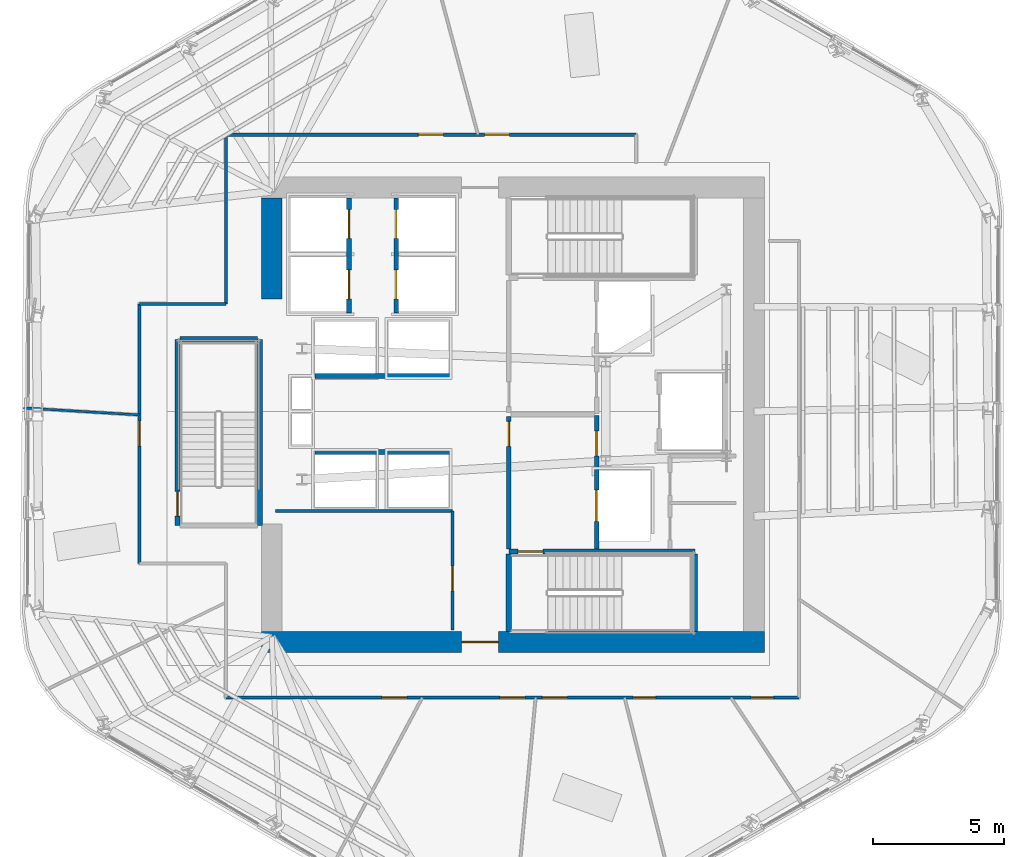
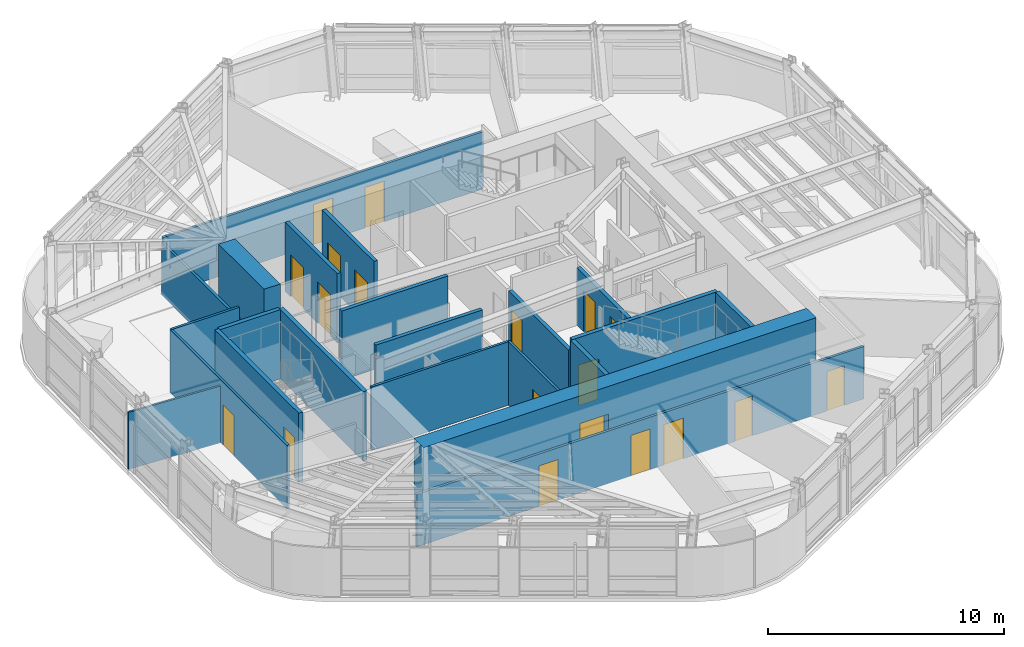
# One storey, part 8 of 16: 22 walls, 19 doors, 19 openings.
"""IFC4 building model written with IfcOpenShell, lengths in metres."""

from ifc_helpers import new_model, si_unit, direction, frame, frame_2d, origin, place, context, subcontext, project, spatial, rectangle, extrude, material, layer, layer_set, type_object, element, fill, save


model = new_model("IFC4")

# Units and contexts
model_context = context("Model", 3, precision=1e-05, world=origin(), true_north=direction((0.0, 1.0)))
body_context = subcontext(model_context, "Body", "Model", "MODEL_VIEW")
ifc_project = project(units=[si_unit("LENGTHUNIT", "METRE"), si_unit("AREAUNIT", "SQUARE_METRE"), si_unit("VOLUMEUNIT", "CUBIC_METRE"), si_unit("PLANEANGLEUNIT", "RADIAN"), si_unit("MASSUNIT", "GRAM", prefix="KILO")], contexts=[model_context])

# Site, building, storey
site_placement = place(None, origin())
site = spatial("IfcSite", under=ifc_project, at=site_placement, CompositionType="ELEMENT")
building_placement = place(site_placement, origin())
building = spatial("IfcBuilding", under=site, at=building_placement, Name="Valkerne Bourse Tower", CompositionType="ELEMENT")
storey_placement = place(building_placement, frame((0.0, 0.0, 151.39990234375)))
storey = spatial("IfcBuildingStorey", under=building, at=storey_placement, Name="L38", CompositionType="ELEMENT", Elevation=151.39990234375)

# Wall, opening, door
ifc_material_1 = material(Name="Concrete C55/67", Category="concrete")
ifc_layer_1 = layer(ifc_material_1, 0.800048828125)
ifc_layer_set_1 = layer_set([ifc_layer_1], Name="Concrete C55/67")
wall_type_1 = type_object("IfcWallType", Name="W-CORE-800", PredefinedType="SHEAR", material=ifc_layer_set_1)
wall_1_placement = place(storey_placement, frame((37.199951171875, 18.199951171875, 0.0), z_axis=(0.0, 0.0, 1.0), x_axis=(1.0, 0.0, 0.0)))
wall_1 = element("IfcWall", 1, at=wall_1_placement, inside=storey, type_object=wall_type_1, Name="L38 Core Shear Wall SOUTH", PredefinedType="SHEAR", context=body_context, shape_type="SweptSolid", body=[
    extrude(rectangle(XDim=19.199951171875, YDim=0.800048828125, at=frame_2d((9.60009765625, 0.0))), origin(), (0.0, 0.0, 1.0), 3.580078125),
])
opening_1_placement = place(wall_1_placement, frame((7.64990234375, 0.0, 0.0)))
opening_1 = element("IfcOpeningElement", 2, at=opening_1_placement, cuts=wall_1, Name="Opening D-PL-1400", PredefinedType="OPENING", context=body_context, shape_type="SweptSolid", body=[
    extrude(rectangle(XDim=1.39990234375, YDim=2.14990234375, at=frame_2d((0.699951171875, 1.074951171875))), frame((0.0, 0.409912109375, 0.0), z_axis=(0.0, -1.0, 0.0), x_axis=(1.0, 0.0, 0.0)), (0.0, 0.0, 1.0), 0.820068359375),
])
ifc_material_2 = material(Name="Galvanised Painted Steel", Category="steel")
door_type_1 = type_object("IfcDoorType", Name="DR-PLT-1400", OperationType="DOUBLE_DOOR_SINGLE_SWING", PredefinedType="DOOR", material=ifc_material_2)
door_1_placement = place(opening_1_placement, origin())
door_1 = element("IfcDoor", 3, at=door_1_placement, inside=storey, type_object=door_type_1, Name="L38 South Passenger Lift Hall Fire Door", OperationType="DOUBLE_DOOR_SINGLE_SWING", OverallHeight=2.14990234375, OverallWidth=1.39990234375, PredefinedType="DOOR", context=body_context, shape_type="SweptSolid", body=[
    extrude(rectangle(XDim=1.39990234375, YDim=2.14990234375, at=frame_2d((0.699951171875, 1.074951171875))), frame((0.0, 0.02490234375, 0.0), z_axis=(0.0, -1.0, 0.0), x_axis=(1.0, 0.0, 0.0)), (0.0, 0.0, 1.0), 0.050048828125),
])
fill(opening_1, door_1)

# Wall
wall_2_placement = place(storey_placement, frame((37.60009765625, 31.300048828125, 0.0), z_axis=(0.0, 0.0, 1.0), x_axis=(0.0, 1.0, 0.0)))
element("IfcWall", 4, at=wall_2_placement, inside=storey, type_object=wall_type_1, Name="L38 Core Shear Wall WEST-N", PredefinedType="SHEAR", context=body_context, shape_type="SweptSolid", body=[
    extrude(rectangle(XDim=3.849853515625, YDim=0.800048828125, at=frame_2d((1.9248046875, 0.0))), origin(), (0.0, 0.0, 1.0), 3.580078125),
])

# Wall, opening, door
ifc_material_3 = material(Name="Gypsum Board Steel-Stud Partition", Category="steel")
ifc_layer_2 = layer(ifc_material_3, 0.117919921875)
ifc_layer_set_2 = layer_set([ifc_layer_2], Name="Gypsum Board Steel-Stud Partition")
wall_type_2 = type_object("IfcWallType", Name="W-CORR-140", PredefinedType="PARTITIONING", material=ifc_layer_set_2)
wall_3_placement = place(storey_placement, frame((44.5, 18.64990234375, 0.0), z_axis=(0.0, 0.0, 1.0), x_axis=(0.0, 1.0, 0.0)))
wall_3 = element("IfcWall", 5, at=wall_3_placement, inside=storey, type_object=wall_type_2, Name="L38 LV7 Low-Bank East Wall", PredefinedType="PARTITIONING", context=body_context, shape_type="SweptSolid", body=[
    extrude(rectangle(XDim=4.550048828125, YDim=0.117919921875, at=frame_2d((2.27490234375, 0.0))), origin(), (0.0, 0.0, 1.0), 3.280029296875),
])
opening_2_placement = place(wall_3_placement, frame((1.5, 0.0, 0.0)))
opening_2 = element("IfcOpeningElement", 6, at=opening_2_placement, cuts=wall_3, Name="Opening D-SV-950", PredefinedType="OPENING", context=body_context, shape_type="SweptSolid", body=[
    extrude(rectangle(XDim=0.949951171875, YDim=2.050048828125, at=frame_2d((0.47509765625, 1.02490234375))), frame((0.0, 0.06884765625, 0.0), z_axis=(0.0, -1.0, 0.0), x_axis=(1.0, 0.0, 0.0)), (0.0, 0.0, 1.0), 0.137939453125),
])
door_type_2 = type_object("IfcDoorType", Name="DR-SRV-950", OperationType="NOTDEFINED", PredefinedType="DOOR", material=ifc_material_2)
door_2_placement = place(opening_2_placement, origin())
door_2 = element("IfcDoor", 7, at=door_2_placement, inside=storey, type_object=door_type_2, Name="L38 Algorithmic Matching Office Door", OperationType="SINGLE_SWING_LEFT", OverallHeight=2.050048828125, OverallWidth=0.949951171875, PredefinedType="DOOR", context=body_context, shape_type="SweptSolid", body=[
    extrude(rectangle(XDim=0.949951171875, YDim=2.050048828125, at=frame_2d((0.47509765625, 1.02490234375))), frame((0.0, 0.02490234375, 0.0), z_axis=(0.0, -1.0, 0.0), x_axis=(1.0, 0.0, 0.0)), (0.0, 0.0, 1.0), 0.050048828125),
])
fill(opening_2, door_2)

# Wall
wall_4_placement = place(storey_placement, frame((37.75, 23.199951171875, 0.0), z_axis=(0.0, 0.0, 1.0), x_axis=(1.0, 0.0, 0.0)))
element("IfcWall", 8, at=wall_4_placement, inside=storey, type_object=wall_type_2, Name="L38 LV7 Low-Bank North Wall", PredefinedType="PARTITIONING", context=body_context, shape_type="SweptSolid", body=[
    extrude(rectangle(XDim=6.75, YDim=0.117919921875, at=frame_2d((3.375, 0.0))), origin(), (0.0, 0.0, 1.0), 3.280029296875),
])

# Wall, opening, door
wall_5_placement = place(storey_placement, frame((32.550048828125, 21.199951171875, 0.0), z_axis=(0.0, 0.0, 1.0), x_axis=(0.0, 1.0, 0.0)))
wall_5 = element("IfcWall", 9, at=wall_5_placement, inside=storey, type_object=wall_type_2, Name="L38 Corridor Enclosure Wall", PredefinedType="PARTITIONING", context=body_context, shape_type="SweptSolid", body=[
    extrude(rectangle(XDim=9.900146484375, YDim=0.117919921875, at=frame_2d((4.9501953125, 0.0))), origin(), (0.0, 0.0, 1.0), 3.280029296875),
])
opening_3_placement = place(wall_5_placement, frame((4.47509765625, 0.0, 0.0)))
opening_3 = element("IfcOpeningElement", 10, at=opening_3_placement, cuts=wall_5, Name="Opening D-OF-950", PredefinedType="OPENING", context=body_context, shape_type="SweptSolid", body=[
    extrude(rectangle(XDim=0.949951171875, YDim=2.10009765625, at=frame_2d((0.47509765625, 1.050048828125))), frame((0.0, 0.06884765625, 0.0), z_axis=(0.0, -1.0, 0.0), x_axis=(1.0, 0.0, 0.0)), (0.0, 0.0, 1.0), 0.137939453125),
])
ifc_material_4 = material(Name="Architectural White Oak Timber", Category="wood")
door_type_3 = type_object("IfcDoorType", Name="DR-OFF-950", OperationType="NOTDEFINED", PredefinedType="DOOR", material=ifc_material_4)
door_3_placement = place(opening_3_placement, origin())
door_3 = element("IfcDoor", 11, at=door_3_placement, inside=storey, type_object=door_type_3, Name="L38 L38 Commodities Market Showroom 4 Door", OperationType="SINGLE_SWING_RIGHT", OverallHeight=2.10009765625, OverallWidth=0.949951171875, PredefinedType="DOOR", context=body_context, shape_type="SweptSolid", body=[
    extrude(rectangle(XDim=0.949951171875, YDim=2.10009765625, at=frame_2d((0.47509765625, 1.050048828125))), frame((0.0, 0.02490234375, 0.0), z_axis=(0.0, -1.0, 0.0), x_axis=(1.0, 0.0, 0.0)), (0.0, 0.0, 1.0), 0.050048828125),
])
fill(opening_3, door_3)

# Walls
wall_6_placement = place(storey_placement, frame((32.550048828125, 31.10009765625, 0.0), z_axis=(0.0, 0.0, 1.0), x_axis=(1.0, 0.0, 0.0)))
element("IfcWall", 12, at=wall_6_placement, inside=storey, type_object=wall_type_2, Name="L38 Corridor Enclosure Wall", PredefinedType="PARTITIONING", context=body_context, shape_type="SweptSolid", body=[
    extrude(rectangle(XDim=3.300048828125, YDim=0.117919921875, at=frame_2d((1.64990234375, 0.0))), origin(), (0.0, 0.0, 1.0), 3.280029296875),
])
wall_7_placement = place(storey_placement, frame((35.85009765625, 31.10009765625, 0.0), z_axis=(0.0, 0.0, 1.0), x_axis=(0.0, 1.0, 0.0)))
element("IfcWall", 13, at=wall_7_placement, inside=storey, type_object=wall_type_2, Name="L38 Corridor Enclosure Wall", PredefinedType="PARTITIONING", context=body_context, shape_type="SweptSolid", body=[
    extrude(rectangle(XDim=6.4599609375, YDim=0.117919921875, at=frame_2d((3.22998046875, 0.0))), origin(), (0.0, 0.0, 1.0), 2.711669921875),
])

# Wall, openings, doors
wall_8_placement = place(storey_placement, frame((35.85009765625, 37.56005859375, 0.0), z_axis=(0.0, 0.0, 1.0), x_axis=(1.0, 0.0, 0.0)))
wall_8 = element("IfcWall", 14, at=wall_8_placement, inside=storey, type_object=wall_type_2, Name="L38 Corridor Enclosure Wall", PredefinedType="PARTITIONING", context=body_context, shape_type="SweptSolid", body=[
    extrude(rectangle(XDim=15.64990234375, YDim=0.117919921875, at=frame_2d((7.824951171875, 0.0))), origin(), (0.0, 0.0, 1.0), 2.962890625),
])
opening_4_placement = place(wall_8_placement, frame((9.8701171875, 0.0, 0.0)))
opening_4 = element("IfcOpeningElement", 15, at=opening_4_placement, cuts=wall_8, Name="Opening D-OF-950", PredefinedType="OPENING", context=body_context, shape_type="SweptSolid", body=[
    extrude(rectangle(XDim=0.949951171875, YDim=2.10009765625, at=frame_2d((0.47509765625, 1.050048828125))), frame((0.0, 0.06884765625, 0.0), z_axis=(0.0, -1.0, 0.0), x_axis=(1.0, 0.0, 0.0)), (0.0, 0.0, 1.0), 0.137939453125),
])
opening_5_placement = place(wall_8_placement, frame((7.35009765625, 0.0, 0.0)))
opening_5 = element("IfcOpeningElement", 16, at=opening_5_placement, cuts=wall_8, Name="Opening D-OF-950", PredefinedType="OPENING", context=body_context, shape_type="SweptSolid", body=[
    extrude(rectangle(XDim=0.949951171875, YDim=2.10009765625, at=frame_2d((0.47509765625, 1.050048828125))), frame((0.0, 0.06884765625, 0.0), z_axis=(0.0, -1.0, 0.0), x_axis=(1.0, 0.0, 0.0)), (0.0, 0.0, 1.0), 0.137939453125),
])
door_4_placement = place(opening_4_placement, origin())
door_4 = element("IfcDoor", 17, at=door_4_placement, inside=storey, type_object=door_type_3, Name="L38 L38 Trading Desk Office 7 Door", OperationType="SINGLE_SWING_RIGHT", OverallHeight=2.10009765625, OverallWidth=0.949951171875, PredefinedType="DOOR", context=body_context, shape_type="SweptSolid", body=[
    extrude(rectangle(XDim=0.949951171875, YDim=2.10009765625, at=frame_2d((0.47509765625, 1.050048828125))), frame((0.0, 0.02490234375, 0.0), z_axis=(0.0, -1.0, 0.0), x_axis=(1.0, 0.0, 0.0)), (0.0, 0.0, 1.0), 0.050048828125),
])
fill(opening_4, door_4)
door_5_placement = place(opening_5_placement, origin())
door_5 = element("IfcDoor", 18, at=door_5_placement, inside=storey, type_object=door_type_3, Name="L38 L38 Trading Desk Office 8 Door", OperationType="SINGLE_SWING_RIGHT", OverallHeight=2.10009765625, OverallWidth=0.949951171875, PredefinedType="DOOR", context=body_context, shape_type="SweptSolid", body=[
    extrude(rectangle(XDim=0.949951171875, YDim=2.10009765625, at=frame_2d((0.47509765625, 1.050048828125))), frame((0.0, 0.02490234375, 0.0), z_axis=(0.0, -1.0, 0.0), x_axis=(1.0, 0.0, 0.0)), (0.0, 0.0, 1.0), 0.050048828125),
])
fill(opening_5, door_5)

wall_9_placement = place(storey_placement, frame((57.719970703125, 16.080078125, 0.0), z_axis=(0.0, 0.0, 1.0), x_axis=(-1.0, 0.0, 0.0)))
wall_9 = element("IfcWall", 19, at=wall_9_placement, inside=storey, type_object=wall_type_2, Name="L38 Corridor Enclosure Wall", PredefinedType="PARTITIONING", context=body_context, shape_type="SweptSolid", body=[
    extrude(rectangle(XDim=21.869873046875, YDim=0.117919921875, at=frame_2d((10.93505859375, 0.0))), origin(), (0.0, 0.0, 1.0), 2.711669921875),
])
opening_6_placement = place(wall_9_placement, frame((5.465087890625, 0.0, 0.0)))
opening_6 = element("IfcOpeningElement", 20, at=opening_6_placement, cuts=wall_9, Name="Opening D-WC-900", PredefinedType="OPENING", context=body_context, shape_type="SweptSolid", body=[
    extrude(rectangle(XDim=0.860107421875, YDim=2.050048828125, at=frame_2d((0.43017578125, 1.02490234375))), frame((0.0, 0.06884765625, 0.0), z_axis=(0.0, -1.0, 0.0), x_axis=(1.0, 0.0, 0.0)), (0.0, 0.0, 1.0), 0.137939453125),
])
opening_7_placement = place(wall_9_placement, frame((0.965087890625, 0.0, 0.0)))
opening_7 = element("IfcOpeningElement", 21, at=opening_7_placement, cuts=wall_9, Name="Opening D-WC-900", PredefinedType="OPENING", context=body_context, shape_type="SweptSolid", body=[
    extrude(rectangle(XDim=0.860107421875, YDim=2.050048828125, at=frame_2d((0.43017578125, 1.02490234375))), frame((0.0, 0.06884765625, 0.0), z_axis=(0.0, -1.0, 0.0), x_axis=(1.0, 0.0, 0.0)), (0.0, 0.0, 1.0), 0.137939453125),
])
opening_8_placement = place(wall_9_placement, frame((8.840087890625, 0.0, 0.0)))
opening_8 = element("IfcOpeningElement", 22, at=opening_8_placement, cuts=wall_9, Name="Opening D-OF-950", PredefinedType="OPENING", context=body_context, shape_type="SweptSolid", body=[
    extrude(rectangle(XDim=0.949951171875, YDim=2.10009765625, at=frame_2d((0.47509765625, 1.050048828125))), frame((0.0, 0.06884765625, 0.0), z_axis=(0.0, -1.0, 0.0), x_axis=(1.0, 0.0, 0.0)), (0.0, 0.0, 1.0), 0.137939453125),
])
opening_9_placement = place(wall_9_placement, frame((10.4599609375, 0.0, 0.0)))
opening_9 = element("IfcOpeningElement", 23, at=opening_9_placement, cuts=wall_9, Name="Opening D-OF-950", PredefinedType="OPENING", context=body_context, shape_type="SweptSolid", body=[
    extrude(rectangle(XDim=0.949951171875, YDim=2.10009765625, at=frame_2d((0.47509765625, 1.050048828125))), frame((0.0, 0.06884765625, 0.0), z_axis=(0.0, -1.0, 0.0), x_axis=(1.0, 0.0, 0.0)), (0.0, 0.0, 1.0), 0.137939453125),
])
opening_10_placement = place(wall_9_placement, frame((14.9599609375, 0.0, 0.0)))
opening_10 = element("IfcOpeningElement", 24, at=opening_10_placement, cuts=wall_9, Name="Opening D-OF-950", PredefinedType="OPENING", context=body_context, shape_type="SweptSolid", body=[
    extrude(rectangle(XDim=0.949951171875, YDim=2.10009765625, at=frame_2d((0.47509765625, 1.050048828125))), frame((0.0, 0.06884765625, 0.0), z_axis=(0.0, -1.0, 0.0), x_axis=(1.0, 0.0, 0.0)), (0.0, 0.0, 1.0), 0.137939453125),
])
door_6_placement = place(opening_8_placement, origin())
door_6 = element("IfcDoor", 25, at=door_6_placement, inside=storey, type_object=door_type_3, Name="L38 L38 Commodities Market Showroom 3 Door", OperationType="SINGLE_SWING_LEFT", OverallHeight=2.10009765625, OverallWidth=0.949951171875, PredefinedType="DOOR", context=body_context, shape_type="SweptSolid", body=[
    extrude(rectangle(XDim=0.949951171875, YDim=2.10009765625, at=frame_2d((0.47509765625, 1.050048828125))), frame((0.0, 0.02490234375, 0.0), z_axis=(0.0, -1.0, 0.0), x_axis=(1.0, 0.0, 0.0)), (0.0, 0.0, 1.0), 0.050048828125),
])
fill(opening_8, door_6)
door_7_placement = place(opening_9_placement, origin())
door_7 = element("IfcDoor", 26, at=door_7_placement, inside=storey, type_object=door_type_3, Name="L38 L38 Hospitality Catering Kitchen 5 Door", OperationType="SINGLE_SWING_RIGHT", OverallHeight=2.10009765625, OverallWidth=0.949951171875, PredefinedType="DOOR", context=body_context, shape_type="SweptSolid", body=[
    extrude(rectangle(XDim=0.949951171875, YDim=2.10009765625, at=frame_2d((0.47509765625, 1.050048828125))), frame((0.0, 0.02490234375, 0.0), z_axis=(0.0, -1.0, 0.0), x_axis=(1.0, 0.0, 0.0)), (0.0, 0.0, 1.0), 0.050048828125),
])
fill(opening_9, door_7)
door_8_placement = place(opening_10_placement, origin())
door_8 = element("IfcDoor", 27, at=door_8_placement, inside=storey, type_object=door_type_3, Name="L38 L38 Hospitality Catering Kitchen 6 Door", OperationType="SINGLE_SWING_RIGHT", OverallHeight=2.10009765625, OverallWidth=0.949951171875, PredefinedType="DOOR", context=body_context, shape_type="SweptSolid", body=[
    extrude(rectangle(XDim=0.949951171875, YDim=2.10009765625, at=frame_2d((0.47509765625, 1.050048828125))), frame((0.0, 0.02490234375, 0.0), z_axis=(0.0, -1.0, 0.0), x_axis=(1.0, 0.0, 0.0)), (0.0, 0.0, 1.0), 0.050048828125),
])
fill(opening_10, door_8)
door_type_4 = type_object("IfcDoorType", Name="DR-WC-900", OperationType="NOTDEFINED", PredefinedType="DOOR", material=ifc_material_4)
door_9_placement = place(opening_6_placement, origin())
door_9 = element("IfcDoor", 28, at=door_9_placement, inside=storey, type_object=door_type_4, Name="L38 L38 Men Bathroom WC 1 Door", OperationType="SINGLE_SWING_LEFT", OverallHeight=2.050048828125, OverallWidth=0.860107421875, PredefinedType="DOOR", context=body_context, shape_type="SweptSolid", body=[
    extrude(rectangle(XDim=0.860107421875, YDim=2.050048828125, at=frame_2d((0.43017578125, 1.02490234375))), frame((0.0, 0.02490234375, 0.0), z_axis=(0.0, -1.0, 0.0), x_axis=(1.0, 0.0, 0.0)), (0.0, 0.0, 1.0), 0.050048828125),
])
fill(opening_6, door_9)
door_10_placement = place(opening_7_placement, origin())
door_10 = element("IfcDoor", 29, at=door_10_placement, inside=storey, type_object=door_type_4, Name="L38 L38 Women Restroom & Shower WC 2 Door", OperationType="SINGLE_SWING_LEFT", OverallHeight=2.050048828125, OverallWidth=0.860107421875, PredefinedType="DOOR", context=body_context, shape_type="SweptSolid", body=[
    extrude(rectangle(XDim=0.860107421875, YDim=2.050048828125, at=frame_2d((0.43017578125, 1.02490234375))), frame((0.0, 0.02490234375, 0.0), z_axis=(0.0, -1.0, 0.0), x_axis=(1.0, 0.0, 0.0)), (0.0, 0.0, 1.0), 0.050048828125),
])
fill(opening_7, door_10)

# Wall, opening, door
ifc_material_5 = material(Name="Gypsum Fire-Rated Shaftwall", Category="gypsum")
ifc_layer_3 = layer(ifc_material_5, 0.179931640625)
ifc_layer_set_3 = layer_set([ifc_layer_3], Name="Gypsum Fire-Rated Shaftwall")
wall_type_3 = type_object("IfcWallType", Name="W-FSAE-180", PredefinedType="PARTITIONING", material=ifc_layer_set_3)
wall_10_placement = place(storey_placement, frame((46.64990234375, 21.75, 0.0), z_axis=(0.0, 0.0, 1.0), x_axis=(0.0, 1.0, 0.0)))
wall_10 = element("IfcWall", 30, at=wall_10_placement, inside=storey, type_object=wall_type_3, Name="L38 FSAE-1 Lobby West Fire Wall", PredefinedType="PARTITIONING", context=body_context, shape_type="SweptSolid", body=[
    extrude(rectangle(XDim=5.050048828125, YDim=0.179931640625, at=frame_2d((2.52490234375, 0.0))), origin(), (0.0, 0.0, 1.0), 2.9580078125),
])
opening_11_placement = place(wall_10_placement, frame((3.919921875, 0.0, 0.0)))
opening_11 = element("IfcOpeningElement", 31, at=opening_11_placement, cuts=wall_10, Name="Opening D-FS-950", PredefinedType="OPENING", context=body_context, shape_type="SweptSolid", body=[
    extrude(rectangle(XDim=0.949951171875, YDim=2.10009765625, at=frame_2d((0.47509765625, 1.050048828125))), frame((0.0, 0.099853515625, 0.0), z_axis=(0.0, -1.0, 0.0), x_axis=(1.0, 0.0, 0.0)), (0.0, 0.0, 1.0), 0.199951171875),
])
door_type_5 = type_object("IfcDoorType", Name="DR-FSAE-950", OperationType="NOTDEFINED", PredefinedType="DOOR", material=ifc_material_2)
door_11_placement = place(opening_11_placement, origin())
door_11 = element("IfcDoor", 32, at=door_11_placement, inside=storey, type_object=door_type_5, Name="L38 FSAE-1 Hall Link Fire Door", OperationType="SINGLE_SWING_RIGHT", OverallHeight=2.10009765625, OverallWidth=0.949951171875, PredefinedType="DOOR", context=body_context, shape_type="SweptSolid", body=[
    extrude(rectangle(XDim=0.949951171875, YDim=2.10009765625, at=frame_2d((0.47509765625, 1.050048828125))), frame((0.0, 0.02490234375, 0.0), z_axis=(0.0, -1.0, 0.0), x_axis=(1.0, 0.0, 0.0)), (0.0, 0.0, 1.0), 0.050048828125),
])
fill(opening_11, door_11)

# Wall, openings, doors
wall_11_placement = place(storey_placement, frame((50.0, 21.75, 0.0), z_axis=(0.0, 0.0, 1.0), x_axis=(0.0, 1.0, 0.0)))
wall_11 = element("IfcWall", 33, at=wall_11_placement, inside=storey, type_object=wall_type_3, Name="L38 FSAE-1 Lobby & Shaft Front Wall", PredefinedType="PARTITIONING", context=body_context, shape_type="SweptSolid", body=[
    extrude(rectangle(XDim=5.090087890625, YDim=0.179931640625, at=frame_2d((2.544921875, 0.0))), origin(), (0.0, 0.0, 1.0), 2.9580078125),
])
opening_12_placement = place(wall_11_placement, frame((1.050048828125, 0.0, 0.0)))
opening_12 = element("IfcOpeningElement", 34, at=opening_12_placement, cuts=wall_11, Name="Opening LD-1200", PredefinedType="OPENING", context=body_context, shape_type="SweptSolid", body=[
    extrude(rectangle(XDim=1.199951171875, YDim=2.14990234375, at=frame_2d((0.60009765625, 1.074951171875))), frame((0.0, 0.099853515625, 0.0), z_axis=(0.0, -1.0, 0.0), x_axis=(1.0, 0.0, 0.0)), (0.0, 0.0, 1.0), 0.199951171875),
])
opening_13_placement = place(wall_11_placement, frame((3.550048828125, 0.0, 0.0)))
opening_13 = element("IfcOpeningElement", 35, at=opening_13_placement, cuts=wall_11, Name="Opening D-FS-950", PredefinedType="OPENING", context=body_context, shape_type="SweptSolid", body=[
    extrude(rectangle(XDim=0.949951171875, YDim=2.10009765625, at=frame_2d((0.47509765625, 1.050048828125))), frame((0.0, 0.099853515625, 0.0), z_axis=(0.0, -1.0, 0.0), x_axis=(1.0, 0.0, 0.0)), (0.0, 0.0, 1.0), 0.199951171875),
])
door_12_placement = place(opening_13_placement, origin())
door_12 = element("IfcDoor", 36, at=door_12_placement, inside=storey, type_object=door_type_5, Name="L38 FSAE-1 Lobby Corridor Fire Door", OperationType="SINGLE_SWING_RIGHT", OverallHeight=2.10009765625, OverallWidth=0.949951171875, PredefinedType="DOOR", context=body_context, shape_type="SweptSolid", body=[
    extrude(rectangle(XDim=0.949951171875, YDim=2.10009765625, at=frame_2d((0.47509765625, 1.050048828125))), frame((0.0, 0.02490234375, 0.0), z_axis=(0.0, -1.0, 0.0), x_axis=(1.0, 0.0, 0.0)), (0.0, 0.0, 1.0), 0.050048828125),
])
fill(opening_13, door_12)
ifc_material_6 = material(Name="Stainless Steel AISI 316", Category="steel")
door_type_6 = type_object("IfcDoorType", Name="DR-LIFT-1200", OperationType="DOUBLE_DOOR_SLIDING", PredefinedType="DOOR", material=ifc_material_6)
door_13_placement = place(opening_12_placement, origin())
door_13 = element("IfcDoor", 37, at=door_13_placement, inside=storey, type_object=door_type_6, Name="L38 FSAE-1 Firefighting Lift Landing Door", OperationType="DOUBLE_DOOR_SLIDING", OverallHeight=2.14990234375, OverallWidth=1.199951171875, PredefinedType="DOOR", context=body_context, shape_type="SweptSolid", body=[
    extrude(rectangle(XDim=1.199951171875, YDim=2.14990234375, at=frame_2d((0.60009765625, 1.074951171875))), frame((0.0, 0.02490234375, 0.0), z_axis=(0.0, -1.0, 0.0), x_axis=(1.0, 0.0, 0.0)), (0.0, 0.0, 1.0), 0.050048828125),
])
fill(opening_12, door_13)

ifc_material_7 = material(Name="CMU Blockwork Masonry 200mm", Category="masonry")
ifc_layer_4 = layer(ifc_material_7, 0.179931640625)
ifc_layer_set_4 = layer_set([ifc_layer_4], Name="CMU Blockwork Masonry 200mm")
wall_type_4 = type_object("IfcWallType", Name="W-LFT-180", PredefinedType="SOLIDWALL", material=ifc_layer_set_4)
wall_12_placement = place(storey_placement, frame((40.550048828125, 30.75, 0.0), z_axis=(0.0, 0.0, 1.0), x_axis=(0.0, 1.0, 0.0)))
wall_12 = element("IfcWall", 38, at=wall_12_placement, inside=storey, type_object=wall_type_4, Name="L38 Mid-Zone West Cars Front Wall", PredefinedType="SOLIDWALL", context=body_context, shape_type="SweptSolid", body=[
    extrude(rectangle(XDim=4.39990234375, YDim=0.179931640625, at=frame_2d((2.199951171875, 0.0))), origin(), (0.0, 0.0, 1.0), 3.580078125),
])
opening_14_placement = place(wall_12_placement, frame((0.550048828125, 0.0, 0.0)))
opening_14 = element("IfcOpeningElement", 39, at=opening_14_placement, cuts=wall_12, Name="Opening LD-1100", PredefinedType="OPENING", context=body_context, shape_type="SweptSolid", body=[
    extrude(rectangle(XDim=1.10009765625, YDim=2.14990234375, at=frame_2d((0.550048828125, 1.074951171875))), frame((0.0, 0.099853515625, 0.0), z_axis=(0.0, -1.0, 0.0), x_axis=(1.0, 0.0, 0.0)), (0.0, 0.0, 1.0), 0.199951171875),
])
opening_15_placement = place(wall_12_placement, frame((2.85009765625, 0.0, 0.0)))
opening_15 = element("IfcOpeningElement", 40, at=opening_15_placement, cuts=wall_12, Name="Opening LD-1100", PredefinedType="OPENING", context=body_context, shape_type="SweptSolid", body=[
    extrude(rectangle(XDim=1.10009765625, YDim=2.14990234375, at=frame_2d((0.550048828125, 1.074951171875))), frame((0.0, 0.099853515625, 0.0), z_axis=(0.0, -1.0, 0.0), x_axis=(1.0, 0.0, 0.0)), (0.0, 0.0, 1.0), 0.199951171875),
])
door_type_7 = type_object("IfcDoorType", Name="DR-LIFT-1100", OperationType="DOUBLE_DOOR_SLIDING", PredefinedType="DOOR", material=ifc_material_6)
door_14_placement = place(opening_14_placement, origin())
door_14 = element("IfcDoor", 41, at=door_14_placement, inside=storey, type_object=door_type_7, Name="L38 Passenger Lift PL-M1 Sliding Landing Door", OperationType="DOUBLE_DOOR_SLIDING", OverallHeight=2.14990234375, OverallWidth=1.10009765625, PredefinedType="DOOR", context=body_context, shape_type="SweptSolid", body=[
    extrude(rectangle(XDim=1.10009765625, YDim=2.14990234375, at=frame_2d((0.550048828125, 1.074951171875))), frame((0.0, 0.02490234375, 0.0), z_axis=(0.0, -1.0, 0.0), x_axis=(1.0, 0.0, 0.0)), (0.0, 0.0, 1.0), 0.050048828125),
])
fill(opening_14, door_14)
door_15_placement = place(opening_15_placement, origin())
door_15 = element("IfcDoor", 42, at=door_15_placement, inside=storey, type_object=door_type_7, Name="L38 Passenger Lift PL-M2 Sliding Landing Door", OperationType="DOUBLE_DOOR_SLIDING", OverallHeight=2.14990234375, OverallWidth=1.10009765625, PredefinedType="DOOR", context=body_context, shape_type="SweptSolid", body=[
    extrude(rectangle(XDim=1.10009765625, YDim=2.14990234375, at=frame_2d((0.550048828125, 1.074951171875))), frame((0.0, 0.02490234375, 0.0), z_axis=(0.0, -1.0, 0.0), x_axis=(1.0, 0.0, 0.0)), (0.0, 0.0, 1.0), 0.050048828125),
])
fill(opening_15, door_15)

wall_13_placement = place(storey_placement, frame((42.35009765625, 30.75, 0.0), z_axis=(0.0, 0.0, 1.0), x_axis=(0.0, 1.0, 0.0)))
wall_13 = element("IfcWall", 43, at=wall_13_placement, inside=storey, type_object=wall_type_4, Name="L38 Mid-Zone East Cars Front Wall", PredefinedType="SOLIDWALL", context=body_context, shape_type="SweptSolid", body=[
    extrude(rectangle(XDim=4.39990234375, YDim=0.179931640625, at=frame_2d((2.199951171875, 0.0))), origin(), (0.0, 0.0, 1.0), 3.580078125),
])
opening_16_placement = place(wall_13_placement, frame((0.550048828125, 0.0, 0.0)))
opening_16 = element("IfcOpeningElement", 44, at=opening_16_placement, cuts=wall_13, Name="Opening LD-1100", PredefinedType="OPENING", context=body_context, shape_type="SweptSolid", body=[
    extrude(rectangle(XDim=1.10009765625, YDim=2.14990234375, at=frame_2d((0.550048828125, 1.074951171875))), frame((0.0, 0.099853515625, 0.0), z_axis=(0.0, -1.0, 0.0), x_axis=(1.0, 0.0, 0.0)), (0.0, 0.0, 1.0), 0.199951171875),
])
opening_17_placement = place(wall_13_placement, frame((2.85009765625, 0.0, 0.0)))
opening_17 = element("IfcOpeningElement", 45, at=opening_17_placement, cuts=wall_13, Name="Opening LD-1100", PredefinedType="OPENING", context=body_context, shape_type="SweptSolid", body=[
    extrude(rectangle(XDim=1.10009765625, YDim=2.14990234375, at=frame_2d((0.550048828125, 1.074951171875))), frame((0.0, 0.099853515625, 0.0), z_axis=(0.0, -1.0, 0.0), x_axis=(1.0, 0.0, 0.0)), (0.0, 0.0, 1.0), 0.199951171875),
])
door_16_placement = place(opening_16_placement, origin())
door_16 = element("IfcDoor", 46, at=door_16_placement, inside=storey, type_object=door_type_7, Name="L38 Passenger Lift PL-M3 Sliding Landing Door", OperationType="DOUBLE_DOOR_SLIDING", OverallHeight=2.14990234375, OverallWidth=1.10009765625, PredefinedType="DOOR", context=body_context, shape_type="SweptSolid", body=[
    extrude(rectangle(XDim=1.10009765625, YDim=2.14990234375, at=frame_2d((0.550048828125, 1.074951171875))), frame((0.0, 0.02490234375, 0.0), z_axis=(0.0, -1.0, 0.0), x_axis=(1.0, 0.0, 0.0)), (0.0, 0.0, 1.0), 0.050048828125),
])
fill(opening_16, door_16)
door_17_placement = place(opening_17_placement, origin())
door_17 = element("IfcDoor", 47, at=door_17_placement, inside=storey, type_object=door_type_7, Name="L38 Passenger Lift PL-M4 Sliding Landing Door", OperationType="DOUBLE_DOOR_SLIDING", OverallHeight=2.14990234375, OverallWidth=1.10009765625, PredefinedType="DOOR", context=body_context, shape_type="SweptSolid", body=[
    extrude(rectangle(XDim=1.10009765625, YDim=2.14990234375, at=frame_2d((0.550048828125, 1.074951171875))), frame((0.0, 0.02490234375, 0.0), z_axis=(0.0, -1.0, 0.0), x_axis=(1.0, 0.0, 0.0)), (0.0, 0.0, 1.0), 0.050048828125),
])
fill(opening_17, door_17)

# Walls
for number, where, z_axis, x_axis, name in (
    (48, (39.25, 25.449951171875, 0.0), (0.0, 0.0, 1.0), (1.0, 0.0, 0.0), "L38 High-Zone South Cars Front Wall"),
    (49, (39.25, 28.35009765625, 0.0), (0.0, 0.0, 1.0), (1.0, 0.0, 0.0), "L38 High-Zone North Cars Front Wall"),
):
    element("IfcWall", number, at=place(storey_placement, frame(where, z_axis=z_axis, x_axis=x_axis)), inside=storey, type_object=wall_type_4, Name=name, PredefinedType="SOLIDWALL", context=body_context, shape_type="SweptSolid", body=[
        extrude(rectangle(XDim=5.199951171875, YDim=0.179931640625, at=frame_2d((2.60009765625, 0.0))), origin(), (0.0, 0.0, 1.0), 3.580078125),
    ])
ifc_layer_5 = layer(ifc_material_3, 0.092041015625)
ifc_layer_set_5 = layer_set([ifc_layer_5], Name="Gypsum Board Steel-Stud Partition")
wall_type_5 = type_object("IfcWallType", Name="W-PART-115", PredefinedType="PARTITIONING", material=ifc_layer_set_5)
wall_14_placement = place(storey_placement, frame((32.544921875, 26.86669921875, 0.0), z_axis=(0.0, 0.0, 1.0), x_axis=(-0.998191475525, 0.060114708589, 0.0)))
element("IfcWall", 50, at=wall_14_placement, inside=storey, type_object=wall_type_5, Name="L38 Suite Partition P07", PredefinedType="PARTITIONING", context=body_context, shape_type="SweptSolid", body=[
    extrude(rectangle(XDim=4.418701171875, YDim=0.092041015625, at=frame_2d((2.20947265625, 0.0))), origin(), (0.0, 0.0, 1.0), 2.942626953125),
])

# Wall, opening, door
ifc_material_8 = material(Name="Concrete C40/50", Category="concrete")
ifc_layer_6 = layer(ifc_material_8, 0.199951171875)
ifc_layer_set_6 = layer_set([ifc_layer_6], Name="Concrete C40/50")
wall_type_6 = type_object("IfcWallType", Name="W-SHF-200", PredefinedType="SHEAR", material=ifc_layer_set_6)
wall_15_placement = place(storey_placement, frame((46.64990234375, 21.64990234375, 0.0), z_axis=(0.0, 0.0, 1.0), x_axis=(1.0, 0.0, 0.0)))
wall_15 = element("IfcWall", 51, at=wall_15_placement, inside=storey, type_object=wall_type_6, Name="L38 Exit Stair ST-1 Structural Shaft Wall North", PredefinedType="SHEAR", context=body_context, shape_type="SweptSolid", body=[
    extrude(rectangle(XDim=7.10009765625, YDim=0.199951171875, at=frame_2d((3.550048828125, 0.0))), origin(), (0.0, 0.0, 1.0), 3.580078125),
])
opening_18_placement = place(wall_15_placement, frame((0.35009765625, 0.0, 0.0)))
opening_18 = element("IfcOpeningElement", 52, at=opening_18_placement, cuts=wall_15, Name="Opening D-ST-950", PredefinedType="OPENING", context=body_context, shape_type="SweptSolid", body=[
    extrude(rectangle(XDim=0.949951171875, YDim=2.10009765625, at=frame_2d((0.47509765625, 1.050048828125))), frame((0.0, 0.10986328125, 0.0), z_axis=(0.0, -1.0, 0.0), x_axis=(1.0, 0.0, 0.0)), (0.0, 0.0, 1.0), 0.219970703125),
])
door_type_8 = type_object("IfcDoorType", Name="DR-STAIR-950", OperationType="NOTDEFINED", PredefinedType="DOOR", material=ifc_material_2)
door_18_placement = place(opening_18_placement, origin())
door_18 = element("IfcDoor", 53, at=door_18_placement, inside=storey, type_object=door_type_8, Name="L38 Exit Stair ST-1 Door", OperationType="SINGLE_SWING_RIGHT", OverallHeight=2.10009765625, OverallWidth=0.949951171875, PredefinedType="DOOR", context=body_context, shape_type="SweptSolid", body=[
    extrude(rectangle(XDim=0.949951171875, YDim=2.10009765625, at=frame_2d((0.47509765625, 1.050048828125))), frame((0.0, 0.02490234375, 0.0), z_axis=(0.0, -1.0, 0.0), x_axis=(1.0, 0.0, 0.0)), (0.0, 0.0, 1.0), 0.050048828125),
])
fill(opening_18, door_18)

# Walls
for number, where, z_axis, x_axis, name in (
    (54, (46.64990234375, 18.60009765625, 0.0), (0.0, 0.0, 1.0), (0.0, 1.0, 0.0), "L38 Exit Stair ST-1 Structural Shaft Wall West"),
    (55, (53.75, 18.60009765625, 0.0), (0.0, 0.0, 1.0), (0.0, 1.0, 0.0), "L38 Exit Stair ST-1 Structural Shaft Wall East"),
):
    element("IfcWall", number, at=place(storey_placement, frame(where, z_axis=z_axis, x_axis=x_axis)), inside=storey, type_object=wall_type_6, Name=name, PredefinedType="SHEAR", context=body_context, shape_type="SweptSolid", body=[
        extrude(rectangle(XDim=2.949951171875, YDim=0.199951171875, at=frame_2d((1.47509765625, 0.0))), origin(), (0.0, 0.0, 1.0), 3.580078125),
    ])

# Wall, opening, door
wall_16_placement = place(storey_placement, frame((34.0, 22.64990234375, 0.0), z_axis=(0.0, 0.0, 1.0), x_axis=(0.0, 1.0, 0.0)))
wall_16 = element("IfcWall", 56, at=wall_16_placement, inside=storey, type_object=wall_type_6, Name="L38 Exit Stair ST-3 Structural Shaft Wall West", PredefinedType="SHEAR", context=body_context, shape_type="SweptSolid", body=[
    extrude(rectangle(XDim=7.10009765625, YDim=0.199951171875, at=frame_2d((3.550048828125, 0.0))), origin(), (0.0, 0.0, 1.0), 3.580078125),
])
opening_19_placement = place(wall_16_placement, frame((0.35009765625, 0.0, 0.0)))
opening_19 = element("IfcOpeningElement", 57, at=opening_19_placement, cuts=wall_16, Name="Opening D-ST-950", PredefinedType="OPENING", context=body_context, shape_type="SweptSolid", body=[
    extrude(rectangle(XDim=0.949951171875, YDim=2.10009765625, at=frame_2d((0.47509765625, 1.050048828125))), frame((0.0, 0.10986328125, 0.0), z_axis=(0.0, -1.0, 0.0), x_axis=(1.0, 0.0, 0.0)), (0.0, 0.0, 1.0), 0.219970703125),
])
door_19_placement = place(opening_19_placement, origin())
door_19 = element("IfcDoor", 58, at=door_19_placement, inside=storey, type_object=door_type_8, Name="L38 Exit Stair ST-3 Door", OperationType="SINGLE_SWING_RIGHT", OverallHeight=2.10009765625, OverallWidth=0.949951171875, PredefinedType="DOOR", context=body_context, shape_type="SweptSolid", body=[
    extrude(rectangle(XDim=0.949951171875, YDim=2.10009765625, at=frame_2d((0.47509765625, 1.050048828125))), frame((0.0, 0.02490234375, 0.0), z_axis=(0.0, -1.0, 0.0), x_axis=(1.0, 0.0, 0.0)), (0.0, 0.0, 1.0), 0.050048828125),
])
fill(opening_19, door_19)

# Walls
wall_17_placement = place(storey_placement, frame((34.10009765625, 29.75, 0.0), z_axis=(0.0, 0.0, 1.0), x_axis=(1.0, 0.0, 0.0)))
element("IfcWall", 59, at=wall_17_placement, inside=storey, type_object=wall_type_6, Name="L38 Exit Stair ST-3 Structural Shaft Wall North", PredefinedType="SHEAR", context=body_context, shape_type="SweptSolid", body=[
    extrude(rectangle(XDim=2.949951171875, YDim=0.199951171875, at=frame_2d((1.47509765625, 0.0))), origin(), (0.0, 0.0, 1.0), 3.580078125),
])
wall_18_placement = place(storey_placement, frame((37.14990234375, 22.64990234375, 0.0), z_axis=(0.0, 0.0, 1.0), x_axis=(0.0, 1.0, 0.0)))
element("IfcWall", 60, at=wall_18_placement, inside=storey, type_object=wall_type_6, Name="L38 Exit Stair ST-3 Structural Shaft Wall East", PredefinedType="SHEAR", context=body_context, shape_type="SweptSolid", body=[
    extrude(rectangle(XDim=7.10009765625, YDim=0.199951171875, at=frame_2d((3.550048828125, 0.0))), origin(), (0.0, 0.0, 1.0), 3.580078125),
])

save(model, "model.ifc")
